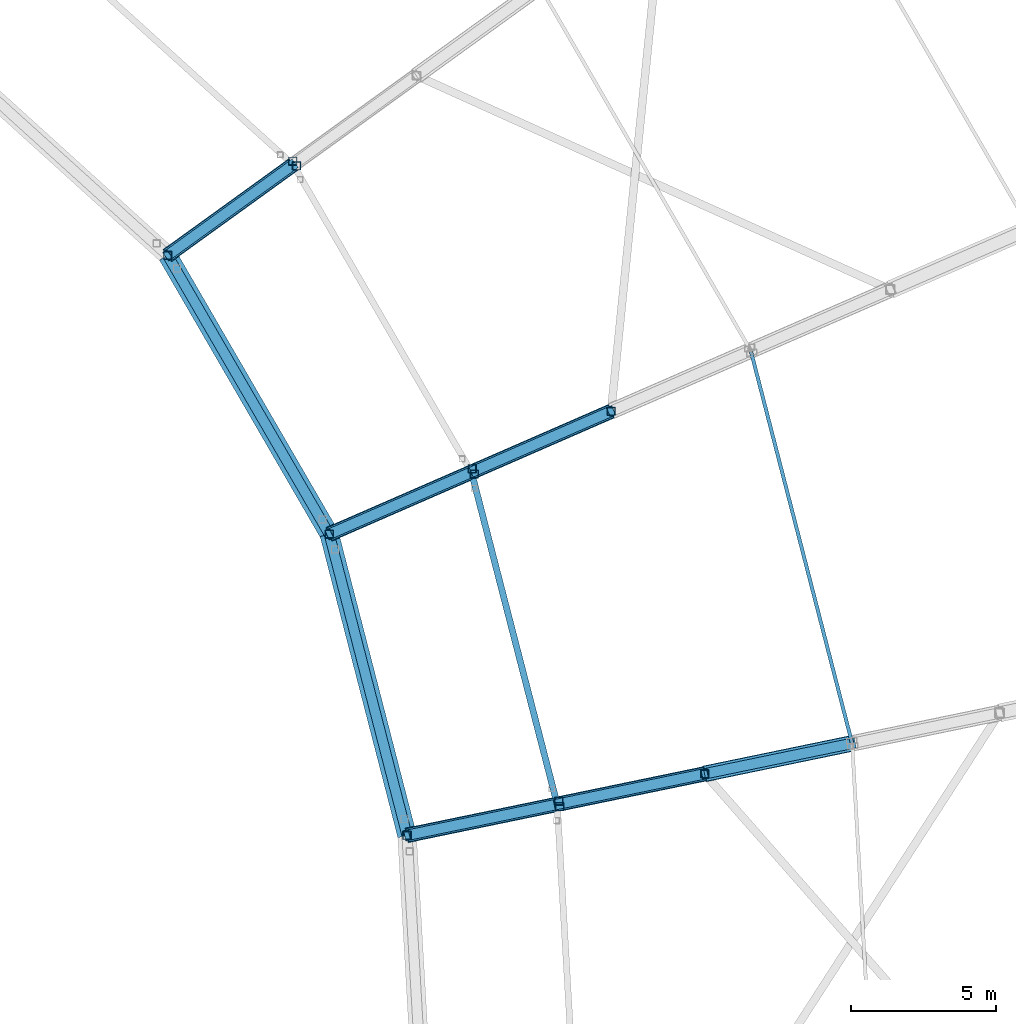
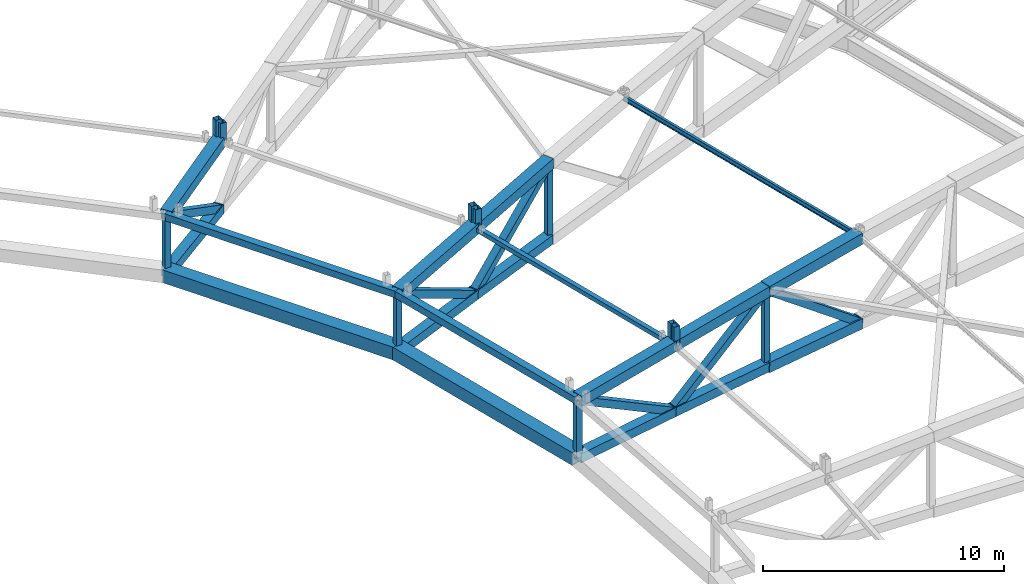
# One storey, part 60 of 162: 35 members.
"""IFC4 building model written with IfcOpenShell, lengths in metres."""

from ifc_helpers import new_model, si_unit, direction, frame, origin, origin_2d, place, context, subcontext, project, spatial, hollow_rectangle, i_section, extrude, material, material_profile, profile_set, type_object, element, save


model = new_model("IFC4")

# Units and contexts
model_context = context("Model", 3, precision=1e-05, world=origin(), true_north=direction((0.0, 1.0)))
body_context = subcontext(model_context, "Body", "Model", "MODEL_VIEW")
ifc_project = project(units=[si_unit("LENGTHUNIT", "METRE"), si_unit("AREAUNIT", "SQUARE_METRE"), si_unit("VOLUMEUNIT", "CUBIC_METRE"), si_unit("PLANEANGLEUNIT", "RADIAN"), si_unit("MASSUNIT", "GRAM", prefix="KILO")], contexts=[model_context])

# Site, building, storey
site_placement = place(None, origin())
site = spatial("IfcSite", under=ifc_project, at=site_placement, CompositionType="ELEMENT")
building_placement = place(site_placement, origin())
building = spatial("IfcBuilding", under=site, at=building_placement, Name="Kazemori Nagisa Stadium", CompositionType="ELEMENT")
storey_placement = place(building_placement, frame((0.0, 0.0, 36.719970703125)))
storey = spatial("IfcBuildingStorey", under=building, at=storey_placement, Name="RF", CompositionType="ELEMENT", Elevation=36.719970703125)

# Members
ifc_material_1 = material(Name="Steel STKR490", Category="steel")
ifc_material_profile_1 = material_profile(ifc_material_1, hollow_rectangle(XDim=0.280029296875, YDim=0.280029296875, WallThickness=0.010009765625, at=origin_2d()), Name="SHS-280x280x10")
ifc_profile_set_1 = profile_set([ifc_material_profile_1], Name="Steel STKR490")
member_type_1 = type_object("IfcMemberType", Name="Member_ST-SHS280", PredefinedType="STUD", material=ifc_profile_set_1)
member_1_placement = place(storey_placement, frame((178.476318359375, 113.361572265625, 4.74609375), z_axis=(0.0, 0.0, 1.0), x_axis=(1.0, 0.0, 0.0)))
element("IfcMember", 1, at=member_1_placement, inside=storey, type_object=member_type_1, Name="Canopy bearing stool B01-inner-3", PredefinedType="STUD", context=body_context, shape_type="SweptSolid", body=[
    extrude(hollow_rectangle(XDim=0.280029296875, YDim=0.280029296875, WallThickness=0.010009765625, at=origin_2d()), origin(), (0.0, 0.0, 1.0), 0.967041015625),
])
member_2_placement = place(storey_placement, frame((175.54296875, 124.797119140625, 4.7939453125), z_axis=(0.0, 0.0, 1.0), x_axis=(1.0, 0.0, 0.0)))
element("IfcMember", 2, at=member_2_placement, inside=storey, type_object=member_type_1, Name="Canopy bearing stool B02-inner-3", PredefinedType="STUD", context=body_context, shape_type="SweptSolid", body=[
    extrude(hollow_rectangle(XDim=0.280029296875, YDim=0.280029296875, WallThickness=0.010009765625, at=origin_2d()), origin(), (0.0, 0.0, 1.0), 0.97314453125),
])
member_3_placement = place(storey_placement, frame((178.441162109375, 113.552978515625, 4.74609375), z_axis=(0.0, 0.0, 1.0), x_axis=(1.0, 0.0, 0.0)))
element("IfcMember", 3, at=member_3_placement, inside=storey, type_object=member_type_1, Name="Canopy bearing stool B02-inner-4", PredefinedType="STUD", context=body_context, shape_type="SweptSolid", body=[
    extrude(hollow_rectangle(XDim=0.280029296875, YDim=0.280029296875, WallThickness=0.010009765625, at=origin_2d()), origin(), (0.0, 0.0, 1.0), 1.02099609375),
])
member_4_placement = place(storey_placement, frame((169.42529296875, 135.3935546875, 4.8720703125), z_axis=(0.0, 0.0, 1.0), x_axis=(1.0, 0.0, 0.0)))
element("IfcMember", 4, at=member_4_placement, inside=storey, type_object=member_type_1, Name="Canopy bearing stool B03-inner-3", PredefinedType="STUD", context=body_context, shape_type="SweptSolid", body=[
    extrude(hollow_rectangle(XDim=0.280029296875, YDim=0.280029296875, WallThickness=0.010009765625, at=origin_2d()), origin(), (0.0, 0.0, 1.0), 0.98095703125),
])
member_5_placement = place(storey_placement, frame((175.4638671875, 124.980224609375, 4.7939453125), z_axis=(0.0, 0.0, 1.0), x_axis=(1.0, 0.0, 0.0)))
element("IfcMember", 5, at=member_5_placement, inside=storey, type_object=member_type_1, Name="Canopy bearing stool B03-inner-4", PredefinedType="STUD", context=body_context, shape_type="SweptSolid", body=[
    extrude(hollow_rectangle(XDim=0.280029296875, YDim=0.280029296875, WallThickness=0.010009765625, at=origin_2d()), origin(), (0.0, 0.0, 1.0), 1.05908203125),
])
member_6_placement = place(storey_placement, frame((169.298583984375, 135.55322265625, 4.8720703125), z_axis=(0.0, 0.0, 1.0), x_axis=(1.0, 0.0, 0.0)))
element("IfcMember", 6, at=member_6_placement, inside=storey, type_object=member_type_1, Name="Canopy bearing stool B04-inner-4", PredefinedType="STUD", context=body_context, shape_type="SweptSolid", body=[
    extrude(hollow_rectangle(XDim=0.280029296875, YDim=0.280029296875, WallThickness=0.010009765625, at=origin_2d()), origin(), (0.0, 0.0, 1.0), 1.095947265625),
])
ifc_material_profile_2 = material_profile(ifc_material_1, hollow_rectangle(XDim=0.360107421875, YDim=0.360107421875, WallThickness=0.013916015625, at=origin_2d()), Name="SHS-360x360x14")
ifc_profile_set_2 = profile_set([ifc_material_profile_2], Name="Steel STKR490")
member_type_2 = type_object("IfcMemberType", Name="Member_TB-SHS360", PredefinedType="BRACE", material=ifc_profile_set_2)
member_7_placement = place(storey_placement, frame((188.52880859375, 115.53955078125, 1.068115234375), z_axis=(-0.772755619863, -0.159649487561, 0.61429699095), x_axis=(0.20232488246, -0.979318457876, 0.0)))
element("IfcMember", 7, at=member_7_placement, inside=storey, type_object=member_type_2, Name="Roof space truss diagonal RT-02-7", PredefinedType="BRACE", context=body_context, shape_type="SweptSolid", body=[
    extrude(hollow_rectangle(XDim=0.360107421875, YDim=0.360107421875, WallThickness=0.013916015625, at=origin_2d()), origin(), (0.0, 0.0, 1.0), 6.560302734375),
])
member_8_placement = place(storey_placement, frame((183.459228515625, 114.4921875, 5.09814453125), z_axis=(-0.796283655624, -0.164548671624, -0.582113454966), x_axis=(0.202370113198, -0.979309112224, 0.0)))
element("IfcMember", 8, at=member_8_placement, inside=storey, type_object=member_type_2, Name="Roof space truss diagonal RT-02-8", PredefinedType="BRACE", context=body_context, shape_type="SweptSolid", body=[
    extrude(hollow_rectangle(XDim=0.360107421875, YDim=0.360107421875, WallThickness=0.013916015625, at=origin_2d()), origin(), (0.0, 0.0, 1.0), 6.366455078125),
])
member_9_placement = place(storey_placement, frame((178.3896484375, 113.444580078125, 1.39208984375), z_axis=(-0.850966771702, -0.175834545006, 0.494911877249), x_axis=(0.202354481803, -0.979312342256, 0.0)))
element("IfcMember", 9, at=member_9_placement, inside=storey, type_object=member_type_2, Name="Roof space truss diagonal RT-02-9", PredefinedType="BRACE", context=body_context, shape_type="SweptSolid", body=[
    extrude(hollow_rectangle(XDim=0.360107421875, YDim=0.360107421875, WallThickness=0.013916015625, at=origin_2d()), origin(), (0.0, 0.0, 1.0), 6.067626953125),
])
member_10_placement = place(storey_placement, frame((180.241943359375, 126.95458984375, 5.14892578125), z_axis=(-0.747161057138, -0.325695333656, -0.579372854327), x_axis=(0.399595467244, -0.916691585299, 0.0)))
element("IfcMember", 10, at=member_10_placement, inside=storey, type_object=member_type_2, Name="Roof space truss diagonal RT-03-8", PredefinedType="BRACE", context=body_context, shape_type="SweptSolid", body=[
    extrude(hollow_rectangle(XDim=0.360107421875, YDim=0.360107421875, WallThickness=0.013916015625, at=origin_2d()), origin(), (0.0, 0.0, 1.0), 6.424072265625),
])
for number, where, z_axis, x_axis, name in (
    (11, (175.442138671875, 124.8623046875, 1.427001953125), (-0.798171243775, -0.347984166908, 0.491761817542), (0.399646575695, -0.916669304894, 0.0), "Roof space truss diagonal RT-03-9"),
    (12, (169.312255859375, 135.433837890625, 1.484130859375), (-0.704860298048, -0.508864251817, 0.494195440548), (0.585338201733, -0.8107892387, 0.0), "Roof space truss diagonal RT-04-9"),
):
    element("IfcMember", number, at=place(storey_placement, frame(where, z_axis=z_axis, x_axis=x_axis)), inside=storey, type_object=member_type_2, Name=name, PredefinedType="BRACE", context=body_context, shape_type="SweptSolid", body=[
        extrude(hollow_rectangle(XDim=0.360107421875, YDim=0.360107421875, WallThickness=0.013916015625, at=origin_2d()), origin(), (0.0, 0.0, 1.0), 6.124755859375),
    ])
ifc_material_profile_3 = material_profile(ifc_material_1, hollow_rectangle(XDim=0.35009765625, YDim=0.35009765625, WallThickness=0.01611328125, at=origin_2d()), Name="SHS-350x350x16")
ifc_profile_set_3 = profile_set([ifc_material_profile_3], Name="Steel STKR490")
member_type_3 = type_object("IfcMemberType", Name="Member_TC-SHS350", PredefinedType="CHORD", material=ifc_profile_set_3)
member_11_placement = place(storey_placement, frame((173.226318359375, 112.377685546875, 4.39501953125), z_axis=(-0.249967058277, 0.968245619322, 0.004109798181), x_axis=(-0.968253796473, -0.24996916933, 0.0)))
element("IfcMember", 13, at=member_11_placement, inside=storey, type_object=member_type_3, Name="Roof tension ring beam upper TR-02", PredefinedType="CHORD", context=body_context, shape_type="SweptSolid", body=[
    extrude(hollow_rectangle(XDim=0.35009765625, YDim=0.35009765625, WallThickness=0.01611328125, at=origin_2d()), origin(), (0.0, 0.0, 1.0), 10.69287109375),
])
member_12_placement = place(storey_placement, frame((170.553466796875, 122.73095703125, 4.43896484375), z_axis=(-0.501597033298, 0.865076975994, 0.006499368596), x_axis=(-0.865095247773, -0.501607627813, 0.0)))
element("IfcMember", 14, at=member_12_placement, inside=storey, type_object=member_type_3, Name="Roof tension ring beam upper TR-03", PredefinedType="CHORD", context=body_context, shape_type="SweptSolid", body=[
    extrude(hollow_rectangle(XDim=0.35009765625, YDim=0.35009765625, WallThickness=0.01611328125, at=origin_2d()), origin(), (0.0, 0.0, 1.0), 11.081298828125),
])
ifc_material_profile_4 = material_profile(ifc_material_1, hollow_rectangle(XDim=0.4599609375, YDim=0.4599609375, WallThickness=0.01611328125, at=origin_2d()), Name="SHS-460x460x16")
ifc_profile_set_4 = profile_set([ifc_material_profile_4], Name="Steel STKR490")
member_type_4 = type_object("IfcMemberType", Name="Member_TC-SHS460", PredefinedType="CHORD", material=ifc_profile_set_4)
member_13_placement = place(storey_placement, frame((183.459228515625, 114.4921875, 1.25), z_axis=(-0.978940418132, -0.202293924113, 0.027437675095), x_axis=(0.202370113198, -0.979309112224, 0.0)))
element("IfcMember", 15, at=member_13_placement, inside=storey, type_object=member_type_4, Name="Roof space truss bottom chord RT-02-8", PredefinedType="CHORD", context=body_context, shape_type="SweptSolid", body=[
    extrude(hollow_rectangle(XDim=0.4599609375, YDim=0.4599609375, WallThickness=0.01611328125, at=origin_2d()), origin(), (0.0, 0.0, 1.0), 5.1787109375),
])
member_14_placement = place(storey_placement, frame((178.3896484375, 113.444580078125, 1.39208984375), z_axis=(-0.979128948489, -0.202316587304, 0.019352021394), x_axis=(0.202354481803, -0.979312342256, 0.0)))
element("IfcMember", 16, at=member_14_placement, inside=storey, type_object=member_type_4, Name="Roof space truss bottom chord RT-02-9", PredefinedType="CHORD", context=body_context, shape_type="SweptSolid", body=[
    extrude(hollow_rectangle(XDim=0.4599609375, YDim=0.4599609375, WallThickness=0.01611328125, at=origin_2d()), origin(), (0.0, 0.0, 1.0), 5.2734375),
])
member_15_placement = place(storey_placement, frame((180.241943359375, 126.95458984375, 1.280029296875), z_axis=(-0.916330666793, -0.399438139085, 0.028058548393), x_axis=(0.399595467244, -0.916691585299, 0.0)))
element("IfcMember", 17, at=member_15_placement, inside=storey, type_object=member_type_4, Name="Roof space truss bottom chord RT-03-8", PredefinedType="CHORD", context=body_context, shape_type="SweptSolid", body=[
    extrude(hollow_rectangle(XDim=0.4599609375, YDim=0.4599609375, WallThickness=0.01611328125, at=origin_2d()), origin(), (0.0, 0.0, 1.0), 5.238037109375),
])
member_16_placement = place(storey_placement, frame((175.442138671875, 124.8623046875, 1.427001953125), z_axis=(-0.916485090446, -0.399566262465, 0.02004696712), x_axis=(0.399646575695, -0.916669304894, 0.0)))
element("IfcMember", 18, at=member_16_placement, inside=storey, type_object=member_type_4, Name="Roof space truss bottom chord RT-03-9", PredefinedType="CHORD", context=body_context, shape_type="SweptSolid", body=[
    extrude(hollow_rectangle(XDim=0.4599609375, YDim=0.4599609375, WallThickness=0.01611328125, at=origin_2d()), origin(), (0.0, 0.0, 1.0), 5.334228515625),
])
member_17_placement = place(storey_placement, frame((169.312255859375, 135.433837890625, 1.484130859375), z_axis=(-0.810597011523, -0.585199425952, 0.021774222727), x_axis=(0.585338201733, -0.8107892387, 0.0)))
element("IfcMember", 19, at=member_17_placement, inside=storey, type_object=member_type_4, Name="Roof space truss bottom chord RT-04-9", PredefinedType="CHORD", context=body_context, shape_type="SweptSolid", body=[
    extrude(hollow_rectangle(XDim=0.4599609375, YDim=0.4599609375, WallThickness=0.01611328125, at=origin_2d()), origin(), (0.0, 0.0, 1.0), 5.325927734375),
])
ifc_material_profile_5 = material_profile(ifc_material_1, hollow_rectangle(XDim=0.52001953125, YDim=0.52001953125, WallThickness=0.01904296875, at=origin_2d()), Name="SHS-520x520x19")
ifc_profile_set_5 = profile_set([ifc_material_profile_5], Name="Steel STKR490")
member_type_5 = type_object("IfcMemberType", Name="Member_TC-SHS520", PredefinedType="CHORD", material=ifc_profile_set_5)
member_18_placement = place(storey_placement, frame((188.52880859375, 115.53955078125, 1.068115234375), z_axis=(-0.978714525074, -0.202200111368, 0.035114005354), x_axis=(0.20232488246, -0.979318457876, 0.0)))
element("IfcMember", 20, at=member_18_placement, inside=storey, type_object=member_type_5, Name="Roof space truss bottom chord RT-02-7", PredefinedType="CHORD", context=body_context, shape_type="SweptSolid", body=[
    extrude(hollow_rectangle(XDim=0.52001953125, YDim=0.52001953125, WallThickness=0.01904296875, at=origin_2d()), origin(), (0.0, 0.0, 1.0), 5.179931640625),
])
member_19_placement = place(storey_placement, frame((183.459228515625, 114.4921875, 5.09814453125), z_axis=(-0.977052313722, -0.20190375527, -0.067850201608), x_axis=(0.202370113198, -0.979309112224, 0.0)))
element("IfcMember", 21, at=member_19_placement, inside=storey, type_object=member_type_5, Name="Roof space truss top chord RT-02-8", PredefinedType="CHORD", context=body_context, shape_type="SweptSolid", body=[
    extrude(hollow_rectangle(XDim=0.52001953125, YDim=0.52001953125, WallThickness=0.01904296875, at=origin_2d()), origin(), (0.0, 0.0, 1.0), 5.188720703125),
])
member_20_placement = place(storey_placement, frame((178.3896484375, 113.444580078125, 4.74609375), z_axis=(-0.977148475491, -0.201907363842, -0.06643999753), x_axis=(0.202354481803, -0.979312342256, 0.0)))
element("IfcMember", 22, at=member_20_placement, inside=storey, type_object=member_type_5, Name="Roof space truss top chord RT-02-9", PredefinedType="CHORD", context=body_context, shape_type="SweptSolid", body=[
    extrude(hollow_rectangle(XDim=0.52001953125, YDim=0.52001953125, WallThickness=0.01904296875, at=origin_2d()), origin(), (0.0, 0.0, 1.0), 5.2841796875),
])
member_21_placement = place(storey_placement, frame((180.241943359375, 126.95458984375, 5.14892578125), z_axis=(-0.91459212552, -0.398680290728, -0.067640740107), x_axis=(0.399595467244, -0.916691585299, 0.0)))
element("IfcMember", 23, at=member_21_placement, inside=storey, type_object=member_type_5, Name="Roof space truss top chord RT-03-8", PredefinedType="CHORD", context=body_context, shape_type="SweptSolid", body=[
    extrude(hollow_rectangle(XDim=0.52001953125, YDim=0.52001953125, WallThickness=0.01904296875, at=origin_2d()), origin(), (0.0, 0.0, 1.0), 5.248046875),
])
member_22_placement = place(storey_placement, frame((175.442138671875, 124.8623046875, 4.7939453125), z_axis=(-0.914645377037, -0.398764190049, -0.066415020886), x_axis=(0.399646575695, -0.916669304894, 0.0)))
element("IfcMember", 24, at=member_22_placement, inside=storey, type_object=member_type_5, Name="Roof space truss top chord RT-03-9", PredefinedType="CHORD", context=body_context, shape_type="SweptSolid", body=[
    extrude(hollow_rectangle(XDim=0.52001953125, YDim=0.52001953125, WallThickness=0.01904296875, at=origin_2d()), origin(), (0.0, 0.0, 1.0), 5.344970703125),
])
member_23_placement = place(storey_placement, frame((169.312255859375, 135.433837890625, 4.8720703125), z_axis=(-0.808931333188, -0.583996912259, -0.067658736741), x_axis=(0.585338201733, -0.8107892387, 0.0)))
element("IfcMember", 25, at=member_23_placement, inside=storey, type_object=member_type_5, Name="Roof space truss top chord RT-04-9", PredefinedType="CHORD", context=body_context, shape_type="SweptSolid", body=[
    extrude(hollow_rectangle(XDim=0.52001953125, YDim=0.52001953125, WallThickness=0.01904296875, at=origin_2d()), origin(), (0.0, 0.0, 1.0), 5.3369140625),
])
ifc_material_profile_6 = material_profile(ifc_material_1, hollow_rectangle(XDim=0.56005859375, YDim=0.56005859375, WallThickness=0.02001953125, at=origin_2d()), Name="SHS-560x560x20")
ifc_profile_set_6 = profile_set([ifc_material_profile_6], Name="Steel STKR490")
member_type_6 = type_object("IfcMemberType", Name="Member_TC-SHS560", PredefinedType="CHORD", material=ifc_profile_set_6)
member_24_placement = place(storey_placement, frame((188.52880859375, 115.53955078125, 5.39794921875), z_axis=(-0.977680194016, -0.201986421013, -0.057818024476), x_axis=(0.20232488246, -0.979318457876, 0.0)))
element("IfcMember", 26, at=member_24_placement, inside=storey, type_object=member_type_6, Name="Roof space truss top chord RT-02-7", PredefinedType="CHORD", context=body_context, shape_type="SweptSolid", body=[
    extrude(hollow_rectangle(XDim=0.56005859375, YDim=0.56005859375, WallThickness=0.02001953125, at=origin_2d()), origin(), (0.0, 0.0, 1.0), 5.185302734375),
])
ifc_material_profile_7 = material_profile(ifc_material_1, hollow_rectangle(XDim=0.64990234375, YDim=0.64990234375, WallThickness=0.02490234375, at=origin_2d()), Name="SHS-650x650x25")
ifc_profile_set_7 = profile_set([ifc_material_profile_7], Name="Steel STKR490")
member_type_7 = type_object("IfcMemberType", Name="Member_TC-SHS650", PredefinedType="CHORD", material=ifc_profile_set_7)
member_25_placement = place(storey_placement, frame((173.226318359375, 112.377685546875, 1.494140625), z_axis=(-0.249967438197, 0.968247090941, 0.003721656232), x_axis=(-0.968253796473, -0.24996916933, 0.0)))
element("IfcMember", 27, at=member_25_placement, inside=storey, type_object=member_type_7, Name="Roof tension ring beam lower TR-02", PredefinedType="CHORD", context=body_context, shape_type="SweptSolid", body=[
    extrude(hollow_rectangle(XDim=0.64990234375, YDim=0.64990234375, WallThickness=0.02490234375, at=origin_2d()), origin(), (0.0, 0.0, 1.0), 10.69287109375),
])
member_26_placement = place(storey_placement, frame((170.553466796875, 122.73095703125, 1.533935546875), z_axis=(-0.501598686984, 0.865079828016, 0.005970626089), x_axis=(-0.865095247773, -0.501607627813, 0.0)))
element("IfcMember", 28, at=member_26_placement, inside=storey, type_object=member_type_7, Name="Roof tension ring beam lower TR-03", PredefinedType="CHORD", context=body_context, shape_type="SweptSolid", body=[
    extrude(hollow_rectangle(XDim=0.64990234375, YDim=0.64990234375, WallThickness=0.02490234375, at=origin_2d()), origin(), (0.0, 0.0, 1.0), 11.081298828125),
])
ifc_material_2 = material(Name="Steel SN490B", Category="steel")
ifc_material_profile_8 = material_profile(ifc_material_2, i_section(OverallWidth=0.125, OverallDepth=0.25, WebThickness=0.006103515625, FlangeThickness=0.009033203125, FilletRadius=0.008056640625, at=origin_2d()), Name="H-250x125x6x9")
ifc_profile_set_8 = profile_set([ifc_material_profile_8], Name="Steel SN490B")
member_type_8 = type_object("IfcMemberType", Name="Member_TP-H250", PredefinedType="PURLIN", material=ifc_profile_set_8)
member_27_placement = place(storey_placement, frame((188.52880859375, 115.53955078125, 5.39794921875), z_axis=(-0.24995922962, 0.968248568029, 0.003885104598), x_axis=(-0.968255875502, -0.249961116088, 0.0)))
element("IfcMember", 29, at=member_27_placement, inside=storey, type_object=member_type_8, Name="Roof purlin TP-H250 B02-P6", PredefinedType="PURLIN", context=body_context, shape_type="SweptSolid", body=[
    extrude(i_section(OverallWidth=0.125, OverallDepth=0.25, WebThickness=0.006103515625, FlangeThickness=0.009033203125, FilletRadius=0.008056640625, at=origin_2d()), origin(), (0.0, 0.0, 1.0), 13.950439453125),
])
ifc_material_profile_9 = material_profile(ifc_material_1, hollow_rectangle(XDim=0.219970703125, YDim=0.219970703125, WallThickness=0.009033203125, at=origin_2d()), Name="SHS-220x220x9")
ifc_profile_set_9 = profile_set([ifc_material_profile_9], Name="Steel STKR490")
member_type_9 = type_object("IfcMemberType", Name="Member_TP-SHS220", PredefinedType="PURLIN", material=ifc_profile_set_9)
member_28_placement = place(storey_placement, frame((178.3896484375, 113.444580078125, 4.74609375), z_axis=(-0.24995548315, 0.968248826348, 0.004057920541), x_axis=(-0.968256798387, -0.249957541149, 0.0)))
element("IfcMember", 30, at=member_28_placement, inside=storey, type_object=member_type_9, Name="Roof purlin TP-SHS220 B02-P8", PredefinedType="PURLIN", context=body_context, shape_type="SweptSolid", body=[
    extrude(hollow_rectangle(XDim=0.219970703125, YDim=0.219970703125, WallThickness=0.009033203125, at=origin_2d()), origin(), (0.0, 0.0, 1.0), 11.792236328125),
])
ifc_material_profile_10 = material_profile(ifc_material_1, hollow_rectangle(XDim=0.280029296875, YDim=0.280029296875, WallThickness=0.010009765625, at=origin_2d()), Name="SHS-280x280x10")
ifc_profile_set_10 = profile_set([ifc_material_profile_10], Name="Steel STKR490")
member_type_10 = type_object("IfcMemberType", Name="Member_TS-SHS280", PredefinedType="STRUT", material=ifc_profile_set_10)
member_29_placement = place(storey_placement, frame((183.459228515625, 114.4921875, 1.25), z_axis=(0.0, 0.0, 1.0), x_axis=(1.0, 0.0, 0.0)))
element("IfcMember", 31, at=member_29_placement, inside=storey, type_object=member_type_10, Name="Roof space truss strut RT-02-8", PredefinedType="STRUT", context=body_context, shape_type="SweptSolid", body=[
    extrude(hollow_rectangle(XDim=0.280029296875, YDim=0.280029296875, WallThickness=0.010009765625, at=origin_2d()), origin(), (0.0, 0.0, 1.0), 3.84814453125),
])
member_30_placement = place(storey_placement, frame((173.226318359375, 112.377685546875, 1.494140625), z_axis=(0.0, 0.0, 1.0), x_axis=(1.0, 0.0, 0.0)))
element("IfcMember", 32, at=member_30_placement, inside=storey, type_object=member_type_10, Name="Roof space truss strut RT-02-10", PredefinedType="STRUT", context=body_context, shape_type="SweptSolid", body=[
    extrude(hollow_rectangle(XDim=0.280029296875, YDim=0.280029296875, WallThickness=0.010009765625, at=origin_2d()), origin(), (0.0, 0.0, 1.0), 2.90087890625),
])
member_31_placement = place(storey_placement, frame((180.241943359375, 126.95458984375, 1.280029296875), z_axis=(0.0, 0.0, 1.0), x_axis=(1.0, 0.0, 0.0)))
element("IfcMember", 33, at=member_31_placement, inside=storey, type_object=member_type_10, Name="Roof space truss strut RT-03-8", PredefinedType="STRUT", context=body_context, shape_type="SweptSolid", body=[
    extrude(hollow_rectangle(XDim=0.280029296875, YDim=0.280029296875, WallThickness=0.010009765625, at=origin_2d()), origin(), (0.0, 0.0, 1.0), 3.868896484375),
])
member_32_placement = place(storey_placement, frame((170.553466796875, 122.73095703125, 1.533935546875), z_axis=(0.0, 0.0, 1.0), x_axis=(1.0, 0.0, 0.0)))
element("IfcMember", 34, at=member_32_placement, inside=storey, type_object=member_type_10, Name="Roof space truss strut RT-03-10", PredefinedType="STRUT", context=body_context, shape_type="SweptSolid", body=[
    extrude(hollow_rectangle(XDim=0.280029296875, YDim=0.280029296875, WallThickness=0.010009765625, at=origin_2d()), origin(), (0.0, 0.0, 1.0), 2.905029296875),
])
member_33_placement = place(storey_placement, frame((164.9951171875, 132.317138671875, 1.60009765625), z_axis=(0.0, 0.0, 1.0), x_axis=(1.0, 0.0, 0.0)))
element("IfcMember", 35, at=member_33_placement, inside=storey, type_object=member_type_10, Name="Roof space truss strut RT-04-10", PredefinedType="STRUT", context=body_context, shape_type="SweptSolid", body=[
    extrude(hollow_rectangle(XDim=0.280029296875, YDim=0.280029296875, WallThickness=0.010009765625, at=origin_2d()), origin(), (0.0, 0.0, 1.0), 2.910888671875),
])

save(model, "model.ifc")
